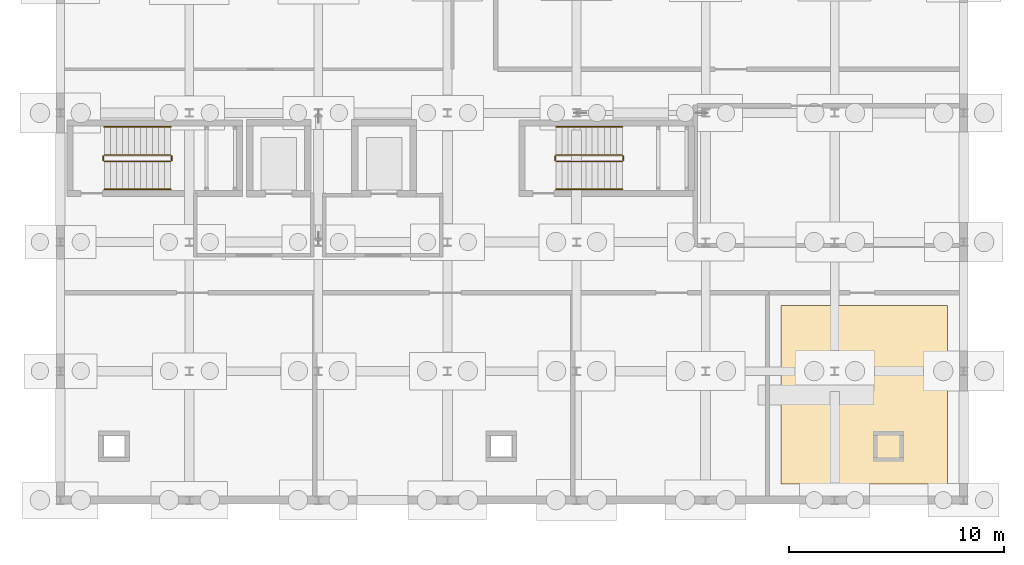
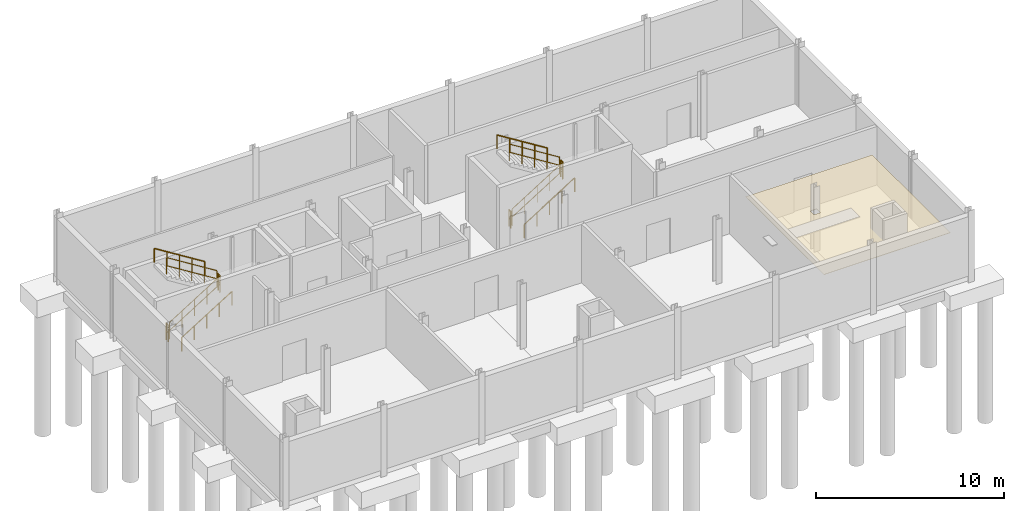
# One storey, part 11 of 12: 12 railings, 1 covering.
"""IFC4 building model written with IfcOpenShell, lengths in metres."""

from ifc_helpers import new_model, si_unit, direction, frame, origin, origin_2d, place, context, subcontext, project, spatial, polyline, circle, outline, extrude, material, layer, layer_set, type_object, element, save


model = new_model("IFC4")

# Units and contexts
model_context = context("Model", 3, precision=1e-05, world=origin(), true_north=direction((0.0, 1.0)))
body_context = subcontext(model_context, "Body", "Model", "MODEL_VIEW")
ifc_project = project(units=[si_unit("LENGTHUNIT", "METRE"), si_unit("AREAUNIT", "SQUARE_METRE"), si_unit("VOLUMEUNIT", "CUBIC_METRE"), si_unit("PLANEANGLEUNIT", "RADIAN"), si_unit("MASSUNIT", "GRAM", prefix="KILO")], contexts=[model_context])

# Site, building, storey
site_placement = place(None, origin())
site = spatial("IfcSite", under=ifc_project, at=site_placement, CompositionType="ELEMENT")
building_placement = place(site_placement, origin())
building = spatial("IfcBuilding", under=site, at=building_placement, Name="Siltcreek Boulevard Central Fire Station", CompositionType="ELEMENT")
storey_placement = place(building_placement, frame((0.0, 0.0, -4.199951171875)))
storey = spatial("IfcBuildingStorey", under=building, at=storey_placement, Name="B01", CompositionType="ELEMENT", Elevation=-4.199951171875)

# Covering
ifc_material_1 = material(Name="Mineral-fiber acoustic ceiling tile", Category="gypsum")
ifc_layer = layer(ifc_material_1, 0.02490234375, Name="Mineral-fiber acoustic ceiling tile")
ifc_layer_set = layer_set([ifc_layer], Name="Mineral-fiber acoustic ceiling tile")
covering_type = type_object("IfcCoveringType", Name="COV_CEIL_ACT", PredefinedType="CEILING", material=ifc_layer_set)
covering_placement = place(storey_placement, frame((0.0, 0.0, 2.419921875)))
element("IfcCovering", 1, at=covering_placement, inside=storey, type_object=covering_type, Name="B01 Radio and Fiber Vault acoustic ceiling ACT-001", PredefinedType="CEILING", context=body_context, shape_type="SweptSolid", body=[
    extrude(outline(polyline([(157.699951171875, 88.949951171875), (165.449951171875, 88.949951171875), (165.449951171875, 97.260009765625), (157.699951171875, 97.260009765625), (157.699951171875, 88.949951171875)]), holes=[polyline([(160.0, 94.0), (160.39990234375, 94.0), (160.39990234375, 94.39990234375), (160.0, 94.39990234375), (160.0, 94.0)])]), origin(), (0.0, 0.0, 1.0), 0.025146484375),
])

# Railings
ifc_material_2 = material(Name="Painted galvanized steel stair guard", Category="steel")
railing_type_1 = type_object("IfcRailingType", Name="RL_ST_GUARD", PredefinedType="BALUSTRADE", material=ifc_material_2)
railing_1_placement = place(storey_placement, frame((126.25, 103.949951171875, 0.175048828125)))
element("IfcRailing", 2, at=railing_1_placement, inside=storey, type_object=railing_type_1, Name="B01 ST-V5A stair guard 1", PredefinedType="BALUSTRADE", context=body_context, shape_type="SweptSolid", body=[
    extrude(circle(Radius=0.02392578125, at=origin_2d()), frame((0.0, 0.0, 1.076171875), z_axis=(0.848028513186, 0.0, 0.529950602248), x_axis=(0.0, 1.0, 0.0)), (0.0, 0.0, 1.0), 3.632080078125),
    extrude(circle(Radius=0.02392578125, at=origin_2d()), frame((0.0, 0.0, 0.550048828125), z_axis=(0.848028513186, 0.0, 0.529950602248), x_axis=(0.0, 1.0, 0.0)), (0.0, 0.0, 1.0), 3.632080078125),
    extrude(circle(Radius=0.02099609375, at=origin_2d()), origin(), (0.0, 0.0, 1.0), 1.052001953125),
    extrude(circle(Radius=0.02099609375, at=origin_2d()), frame((0.77001953125, 0.0, 0.481201171875)), (0.0, 0.0, 1.0), 1.052001953125),
    extrude(circle(Radius=0.02099609375, at=origin_2d()), frame((1.5400390625, 0.0, 0.96240234375)), (0.0, 0.0, 1.0), 1.052001953125),
    extrude(circle(Radius=0.02099609375, at=origin_2d()), frame((2.31005859375, 0.0, 1.443603515625)), (0.0, 0.0, 1.0), 1.052001953125),
    extrude(circle(Radius=0.02099609375, at=origin_2d()), frame((3.080078125, 0.0, 1.9248046875)), (0.0, 0.0, 1.0), 1.052001953125),
])
railing_2_placement = place(storey_placement, frame((129.3798828125, 104.0, 2.099853515625)))
element("IfcRailing", 3, at=railing_2_placement, inside=storey, type_object=railing_type_1, Name="B01 ST-V5A stair guard 2", PredefinedType="BALUSTRADE", context=body_context, shape_type="SweptSolid", body=[
    extrude(circle(Radius=0.02392578125, at=origin_2d()), frame((0.0, 0.0, 1.076171875), z_axis=(0.0, 1.0, 0.0), x_axis=(-1.0, 0.0, 0.0)), (0.0, 0.0, 1.0), 0.199951171875),
    extrude(circle(Radius=0.02392578125, at=origin_2d()), frame((0.0, 0.0, 0.550048828125), z_axis=(0.0, 1.0, 0.0), x_axis=(-1.0, 0.0, 0.0)), (0.0, 0.0, 1.0), 0.199951171875),
    extrude(circle(Radius=0.02099609375, at=origin_2d()), origin(), (0.0, 0.0, 1.0), 1.052001953125),
    extrude(circle(Radius=0.02099609375, at=origin_2d()), frame((0.0, 0.199951171875, 0.0)), (0.0, 0.0, 1.0), 1.052001953125),
])
railing_3_placement = place(storey_placement, frame((129.330078125, 104.25, 2.27490234375)))
element("IfcRailing", 4, at=railing_3_placement, inside=storey, type_object=railing_type_1, Name="B01 ST-V5A stair guard 3", PredefinedType="BALUSTRADE", context=body_context, shape_type="SweptSolid", body=[
    extrude(circle(Radius=0.02392578125, at=origin_2d()), frame((0.0, 0.0, 1.076171875), z_axis=(-0.847998304005, 0.0, 0.529998940003), x_axis=(0.0, -1.0, 0.0)), (0.0, 0.0, 1.0), 3.632080078125),
    extrude(circle(Radius=0.02392578125, at=origin_2d()), frame((0.0, 0.0, 0.550048828125), z_axis=(-0.847998304005, 0.0, 0.529998940003), x_axis=(0.0, -1.0, 0.0)), (0.0, 0.0, 1.0), 3.632080078125),
    extrude(circle(Radius=0.02099609375, at=origin_2d()), origin(), (0.0, 0.0, 1.0), 1.052001953125),
    extrude(circle(Radius=0.02099609375, at=origin_2d()), frame((-0.77001953125, 0.0, 0.481201171875)), (0.0, 0.0, 1.0), 1.052001953125),
    extrude(circle(Radius=0.02099609375, at=origin_2d()), frame((-1.5400390625, 0.0, 0.96240234375)), (0.0, 0.0, 1.0), 1.052001953125),
    extrude(circle(Radius=0.02099609375, at=origin_2d()), frame((-2.31005859375, 0.0, 1.44384765625)), (0.0, 0.0, 1.0), 1.052001953125),
    extrude(circle(Radius=0.02099609375, at=origin_2d()), frame((-3.080078125, 0.0, 1.925048828125)), (0.0, 0.0, 1.0), 1.052001953125),
])
railing_4_placement = place(storey_placement, frame((126.199951171875, 104.0, 0.0)))
element("IfcRailing", 5, at=railing_4_placement, inside=storey, type_object=railing_type_1, Name="B01 ST-V5A stair guard 4", PredefinedType="BALUSTRADE", context=body_context, shape_type="SweptSolid", body=[
    extrude(circle(Radius=0.02392578125, at=origin_2d()), frame((0.0, 0.0, 1.076171875), z_axis=(0.0, 1.0, 0.0), x_axis=(-1.0, 0.0, 0.0)), (0.0, 0.0, 1.0), 0.199951171875),
    extrude(circle(Radius=0.02392578125, at=origin_2d()), frame((0.0, 0.0, 0.550048828125), z_axis=(0.0, 1.0, 0.0), x_axis=(-1.0, 0.0, 0.0)), (0.0, 0.0, 1.0), 0.199951171875),
    extrude(circle(Radius=0.02099609375, at=origin_2d()), origin(), (0.0, 0.0, 1.0), 1.052001953125),
    extrude(circle(Radius=0.02099609375, at=origin_2d()), frame((0.0, 0.199951171875, 0.0)), (0.0, 0.0, 1.0), 1.052001953125),
])
railing_5_placement = place(storey_placement, frame((147.25, 103.949951171875, 0.175048828125)))
element("IfcRailing", 6, at=railing_5_placement, inside=storey, type_object=railing_type_1, Name="B01 ST-V5B stair guard 1", PredefinedType="BALUSTRADE", context=body_context, shape_type="SweptSolid", body=[
    extrude(circle(Radius=0.02392578125, at=origin_2d()), frame((0.0, 0.0, 1.076171875), z_axis=(0.848028513186, 0.0, 0.529950602248), x_axis=(0.0, 1.0, 0.0)), (0.0, 0.0, 1.0), 3.632080078125),
    extrude(circle(Radius=0.02392578125, at=origin_2d()), frame((0.0, 0.0, 0.550048828125), z_axis=(0.848028513186, 0.0, 0.529950602248), x_axis=(0.0, 1.0, 0.0)), (0.0, 0.0, 1.0), 3.632080078125),
    extrude(circle(Radius=0.02099609375, at=origin_2d()), origin(), (0.0, 0.0, 1.0), 1.052001953125),
    extrude(circle(Radius=0.02099609375, at=origin_2d()), frame((0.77001953125, 0.0, 0.481201171875)), (0.0, 0.0, 1.0), 1.052001953125),
    extrude(circle(Radius=0.02099609375, at=origin_2d()), frame((1.5400390625, 0.0, 0.96240234375)), (0.0, 0.0, 1.0), 1.052001953125),
    extrude(circle(Radius=0.02099609375, at=origin_2d()), frame((2.31005859375, 0.0, 1.443603515625)), (0.0, 0.0, 1.0), 1.052001953125),
    extrude(circle(Radius=0.02099609375, at=origin_2d()), frame((3.080078125, 0.0, 1.9248046875)), (0.0, 0.0, 1.0), 1.052001953125),
])
railing_6_placement = place(storey_placement, frame((150.3798828125, 104.0, 2.099853515625)))
element("IfcRailing", 7, at=railing_6_placement, inside=storey, type_object=railing_type_1, Name="B01 ST-V5B stair guard 2", PredefinedType="BALUSTRADE", context=body_context, shape_type="SweptSolid", body=[
    extrude(circle(Radius=0.02392578125, at=origin_2d()), frame((0.0, 0.0, 1.076171875), z_axis=(0.0, 1.0, 0.0), x_axis=(-1.0, 0.0, 0.0)), (0.0, 0.0, 1.0), 0.199951171875),
    extrude(circle(Radius=0.02392578125, at=origin_2d()), frame((0.0, 0.0, 0.550048828125), z_axis=(0.0, 1.0, 0.0), x_axis=(-1.0, 0.0, 0.0)), (0.0, 0.0, 1.0), 0.199951171875),
    extrude(circle(Radius=0.02099609375, at=origin_2d()), origin(), (0.0, 0.0, 1.0), 1.052001953125),
    extrude(circle(Radius=0.02099609375, at=origin_2d()), frame((0.0, 0.199951171875, 0.0)), (0.0, 0.0, 1.0), 1.052001953125),
])
railing_7_placement = place(storey_placement, frame((150.330078125, 104.25, 2.27490234375)))
element("IfcRailing", 8, at=railing_7_placement, inside=storey, type_object=railing_type_1, Name="B01 ST-V5B stair guard 3", PredefinedType="BALUSTRADE", context=body_context, shape_type="SweptSolid", body=[
    extrude(circle(Radius=0.02392578125, at=origin_2d()), frame((0.0, 0.0, 1.076171875), z_axis=(-0.847998304005, 0.0, 0.529998940003), x_axis=(0.0, -1.0, 0.0)), (0.0, 0.0, 1.0), 3.632080078125),
    extrude(circle(Radius=0.02392578125, at=origin_2d()), frame((0.0, 0.0, 0.550048828125), z_axis=(-0.847998304005, 0.0, 0.529998940003), x_axis=(0.0, -1.0, 0.0)), (0.0, 0.0, 1.0), 3.632080078125),
    extrude(circle(Radius=0.02099609375, at=origin_2d()), origin(), (0.0, 0.0, 1.0), 1.052001953125),
    extrude(circle(Radius=0.02099609375, at=origin_2d()), frame((-0.77001953125, 0.0, 0.481201171875)), (0.0, 0.0, 1.0), 1.052001953125),
    extrude(circle(Radius=0.02099609375, at=origin_2d()), frame((-1.5400390625, 0.0, 0.96240234375)), (0.0, 0.0, 1.0), 1.052001953125),
    extrude(circle(Radius=0.02099609375, at=origin_2d()), frame((-2.31005859375, 0.0, 1.44384765625)), (0.0, 0.0, 1.0), 1.052001953125),
    extrude(circle(Radius=0.02099609375, at=origin_2d()), frame((-3.080078125, 0.0, 1.925048828125)), (0.0, 0.0, 1.0), 1.052001953125),
])
railing_8_placement = place(storey_placement, frame((147.199951171875, 104.0, 0.0)))
element("IfcRailing", 9, at=railing_8_placement, inside=storey, type_object=railing_type_1, Name="B01 ST-V5B stair guard 4", PredefinedType="BALUSTRADE", context=body_context, shape_type="SweptSolid", body=[
    extrude(circle(Radius=0.02392578125, at=origin_2d()), frame((0.0, 0.0, 1.076171875), z_axis=(0.0, 1.0, 0.0), x_axis=(-1.0, 0.0, 0.0)), (0.0, 0.0, 1.0), 0.199951171875),
    extrude(circle(Radius=0.02392578125, at=origin_2d()), frame((0.0, 0.0, 0.550048828125), z_axis=(0.0, 1.0, 0.0), x_axis=(-1.0, 0.0, 0.0)), (0.0, 0.0, 1.0), 0.199951171875),
    extrude(circle(Radius=0.02099609375, at=origin_2d()), origin(), (0.0, 0.0, 1.0), 1.052001953125),
    extrude(circle(Radius=0.02099609375, at=origin_2d()), frame((0.0, 0.199951171875, 0.0)), (0.0, 0.0, 1.0), 1.052001953125),
])
ifc_material_3 = material(Name="Brushed stainless steel stair handrail", Category="steel")
railing_type_2 = type_object("IfcRailingType", Name="RL_ST_HAND", PredefinedType="HANDRAIL", material=ifc_material_3)
railing_9_placement = place(storey_placement, frame((126.25, 102.64990234375, 0.175048828125)))
element("IfcRailing", 10, at=railing_9_placement, inside=storey, type_object=railing_type_2, Name="B01 ST-V5A stair handrail 1", PredefinedType="HANDRAIL", context=body_context, shape_type="SweptSolid", body=[
    extrude(circle(Radius=0.02392578125, at=origin_2d()), frame((0.0, 0.0, 0.8759765625), z_axis=(0.848028513186, 0.0, 0.529950602248), x_axis=(0.0, 1.0, 0.0)), (0.0, 0.0, 1.0), 3.632080078125),
    extrude(circle(Radius=0.02099609375, at=origin_2d()), origin(), (0.0, 0.0, 1.0), 0.851806640625),
    extrude(circle(Radius=0.02099609375, at=origin_2d()), frame((0.77001953125, 0.0, 0.481201171875)), (0.0, 0.0, 1.0), 0.851806640625),
    extrude(circle(Radius=0.02099609375, at=origin_2d()), frame((1.5400390625, 0.0, 0.96240234375)), (0.0, 0.0, 1.0), 0.851806640625),
    extrude(circle(Radius=0.02099609375, at=origin_2d()), frame((2.31005859375, 0.0, 1.443603515625)), (0.0, 0.0, 1.0), 0.851806640625),
    extrude(circle(Radius=0.02099609375, at=origin_2d()), frame((3.080078125, 0.0, 1.9248046875)), (0.0, 0.0, 1.0), 0.851806640625),
])
railing_10_placement = place(storey_placement, frame((129.330078125, 105.550048828125, 2.27490234375)))
element("IfcRailing", 11, at=railing_10_placement, inside=storey, type_object=railing_type_2, Name="B01 ST-V5A stair handrail 2", PredefinedType="HANDRAIL", context=body_context, shape_type="SweptSolid", body=[
    extrude(circle(Radius=0.02392578125, at=origin_2d()), frame((0.0, 0.0, 0.8759765625), z_axis=(-0.847998304005, 0.0, 0.529998940003), x_axis=(0.0, -1.0, 0.0)), (0.0, 0.0, 1.0), 3.632080078125),
    extrude(circle(Radius=0.02099609375, at=origin_2d()), origin(), (0.0, 0.0, 1.0), 0.851806640625),
    extrude(circle(Radius=0.02099609375, at=origin_2d()), frame((-0.77001953125, 0.0, 0.481201171875)), (0.0, 0.0, 1.0), 0.851806640625),
    extrude(circle(Radius=0.02099609375, at=origin_2d()), frame((-1.5400390625, 0.0, 0.96240234375)), (0.0, 0.0, 1.0), 0.851806640625),
    extrude(circle(Radius=0.02099609375, at=origin_2d()), frame((-2.31005859375, 0.0, 1.44384765625)), (0.0, 0.0, 1.0), 0.851806640625),
    extrude(circle(Radius=0.02099609375, at=origin_2d()), frame((-3.080078125, 0.0, 1.925048828125)), (0.0, 0.0, 1.0), 0.851806640625),
])
railing_11_placement = place(storey_placement, frame((147.25, 102.64990234375, 0.175048828125)))
element("IfcRailing", 12, at=railing_11_placement, inside=storey, type_object=railing_type_2, Name="B01 ST-V5B stair handrail 1", PredefinedType="HANDRAIL", context=body_context, shape_type="SweptSolid", body=[
    extrude(circle(Radius=0.02392578125, at=origin_2d()), frame((0.0, 0.0, 0.8759765625), z_axis=(0.848028513186, 0.0, 0.529950602248), x_axis=(0.0, 1.0, 0.0)), (0.0, 0.0, 1.0), 3.632080078125),
    extrude(circle(Radius=0.02099609375, at=origin_2d()), origin(), (0.0, 0.0, 1.0), 0.851806640625),
    extrude(circle(Radius=0.02099609375, at=origin_2d()), frame((0.77001953125, 0.0, 0.481201171875)), (0.0, 0.0, 1.0), 0.851806640625),
    extrude(circle(Radius=0.02099609375, at=origin_2d()), frame((1.5400390625, 0.0, 0.96240234375)), (0.0, 0.0, 1.0), 0.851806640625),
    extrude(circle(Radius=0.02099609375, at=origin_2d()), frame((2.31005859375, 0.0, 1.443603515625)), (0.0, 0.0, 1.0), 0.851806640625),
    extrude(circle(Radius=0.02099609375, at=origin_2d()), frame((3.080078125, 0.0, 1.9248046875)), (0.0, 0.0, 1.0), 0.851806640625),
])
railing_12_placement = place(storey_placement, frame((150.330078125, 105.550048828125, 2.27490234375)))
element("IfcRailing", 13, at=railing_12_placement, inside=storey, type_object=railing_type_2, Name="B01 ST-V5B stair handrail 2", PredefinedType="HANDRAIL", context=body_context, shape_type="SweptSolid", body=[
    extrude(circle(Radius=0.02392578125, at=origin_2d()), frame((0.0, 0.0, 0.8759765625), z_axis=(-0.847998304005, 0.0, 0.529998940003), x_axis=(0.0, -1.0, 0.0)), (0.0, 0.0, 1.0), 3.632080078125),
    extrude(circle(Radius=0.02099609375, at=origin_2d()), origin(), (0.0, 0.0, 1.0), 0.851806640625),
    extrude(circle(Radius=0.02099609375, at=origin_2d()), frame((-0.77001953125, 0.0, 0.481201171875)), (0.0, 0.0, 1.0), 0.851806640625),
    extrude(circle(Radius=0.02099609375, at=origin_2d()), frame((-1.5400390625, 0.0, 0.96240234375)), (0.0, 0.0, 1.0), 0.851806640625),
    extrude(circle(Radius=0.02099609375, at=origin_2d()), frame((-2.31005859375, 0.0, 1.44384765625)), (0.0, 0.0, 1.0), 0.851806640625),
    extrude(circle(Radius=0.02099609375, at=origin_2d()), frame((-3.080078125, 0.0, 1.925048828125)), (0.0, 0.0, 1.0), 0.851806640625),
])

save(model, "model.ifc")
